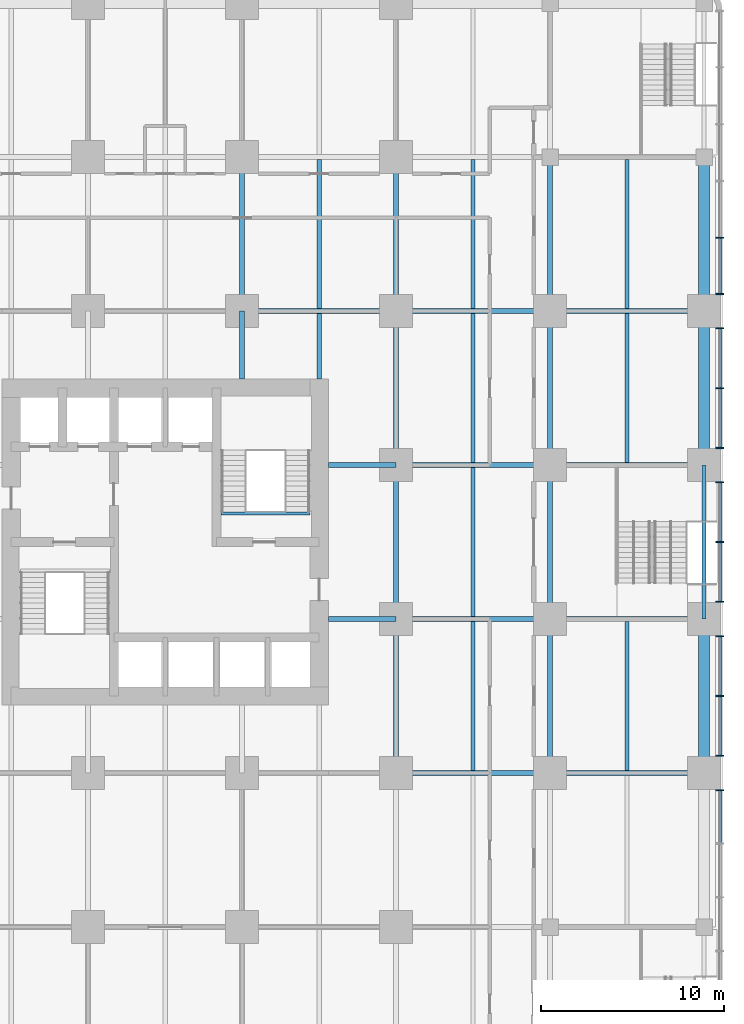
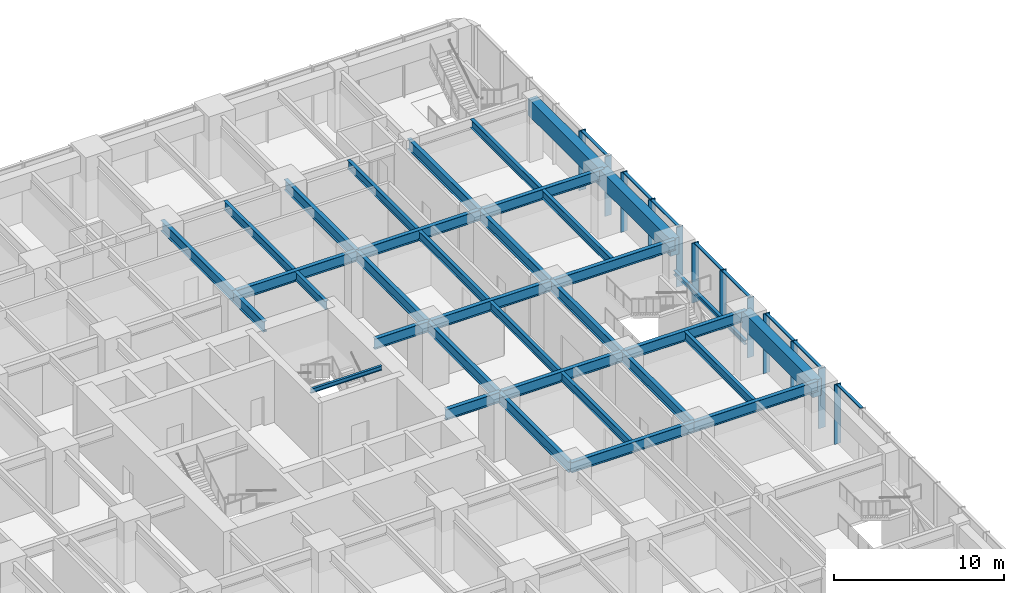
# One storey, part 6 of 19: 35 beams, 20 members, 1 element without a shape of its own.
"""IFC4 building model written with IfcOpenShell, lengths in metres."""

import ifcopenshell
import ifcopenshell.guid

model = None  # the IFC model being written
_history = None  # IfcOwnerHistory: only IFC2X3 demands one
_inside = {}  # id of a spatial element -> (the spatial element, [elements in it])
_under = {}  # id of a project, library or spatial element -> (it, [spatial elements below it])
_declared = {}  # id of a project -> (the project, [libraries it declares])
_typed = {}  # id of a type object -> (the type object, [elements of that type])
_made_of = {}  # id of a material, layer set ... -> (it, [elements and type objects made of it])


def new_model(schema):
    """Start an empty IFC model of exactly this schema.

    Asked for "IFC4X3", IfcOpenShell would pick the latest addendum, in which some entities
    have other attributes; the version numbers below select the first issue.
    IFC2X3 requires an IfcOwnerHistory on every rooted entity: one is made here for all.
    """
    global model, _history
    if schema == "IFC4X3":
        model = ifcopenshell.file(schema_version=(4, 3, 0, 0))
    else:
        model = ifcopenshell.file(schema=schema)
    _inside.clear()
    _under.clear()
    _declared.clear()
    _typed.clear()
    _made_of.clear()
    _history = None
    if model.schema == "IFC2X3":
        org = make("IfcOrganization", Name="unknown")
        user = make(
            "IfcPersonAndOrganization",
            ThePerson=make("IfcPerson", FamilyName="unknown"),
            TheOrganization=org,
        )
        app = make(
            "IfcApplication",
            ApplicationDeveloper=org,
            Version="unknown",
            ApplicationFullName="unknown",
            ApplicationIdentifier="unknown",
        )
        _history = make(
            "IfcOwnerHistory",
            OwningUser=user,
            OwningApplication=app,
            ChangeAction="ADDED",
            CreationDate=0,
        )
    return model


def make(cls, **values):
    """One entity of the class cls with the attributes given. An attribute that is None is left unset."""
    return model.create_entity(
        cls, **{name: value for name, value in values.items() if value is not None}
    )


def rooted(cls, **values):
    """An entity with a GlobalId (a new one), such as an element, a storey or a relation."""
    return make(cls, GlobalId=ifcopenshell.guid.new(), OwnerHistory=_history, **values)


def si_unit(unit_type, name, prefix=None):
    """IfcSIUnit, for example si_unit("LENGTHUNIT", "METRE", prefix="MILLI")."""
    return make("IfcSIUnit", UnitType=unit_type, Prefix=prefix, Name=name)


def assignment(units):
    """IfcUnitAssignment: the units of a project."""
    return None if units is None else make("IfcUnitAssignment", Units=units)


def point(xyz):
    """IfcCartesianPoint."""
    return None if xyz is None else make("IfcCartesianPoint", Coordinates=xyz)


def direction(xyz):
    """IfcDirection."""
    return None if xyz is None else make("IfcDirection", DirectionRatios=xyz)


def frame(location, z_axis=None, x_axis=None):
    """IfcAxis2Placement3D, a coordinate frame: its origin and axes. An axis left out is left unset."""
    return make(
        "IfcAxis2Placement3D",
        Location=point(location),
        Axis=direction(z_axis),
        RefDirection=direction(x_axis),
    )


def frame_2d(location, x_axis=None):
    """IfcAxis2Placement2D, a coordinate frame in the plane: its origin and x axis."""
    return make(
        "IfcAxis2Placement2D", Location=point(location), RefDirection=direction(x_axis)
    )


def origin():
    """The frame at (0, 0, 0) with its axes left unset."""
    return frame((0.0, 0.0, 0.0))


def origin_2d():
    """The frame at (0, 0) in the plane with its x axis left unset."""
    return frame_2d((0.0, 0.0))


def place(relative_to, where):
    """IfcLocalPlacement: puts the frame where relative to a parent placement (None: the world)."""
    return make(
        "IfcLocalPlacement", PlacementRelTo=relative_to, RelativePlacement=where
    )


def context(
    kind, dimensions, precision=None, world=None, true_north=None, identifier=None
):
    """IfcGeometricRepresentationContext, for example the 3D "Model" context."""
    return make(
        "IfcGeometricRepresentationContext",
        ContextIdentifier=identifier,
        ContextType=kind,
        CoordinateSpaceDimension=dimensions,
        Precision=precision,
        WorldCoordinateSystem=world,
        TrueNorth=true_north,
    )


def subcontext(parent, identifier, kind, view, scale=None):
    """IfcGeometricRepresentationSubContext, for example "Body" below "Model"."""
    return make(
        "IfcGeometricRepresentationSubContext",
        ContextIdentifier=identifier,
        ContextType=kind,
        ParentContext=parent,
        TargetScale=scale,
        TargetView=view,
    )


def project(units=None, contexts=None):
    """IfcProject with its units and contexts."""
    return rooted(
        "IfcProject",
        Name="project",
        RepresentationContexts=contexts,
        UnitsInContext=assignment(units),
    )


def spatial(cls, under=None, at=None, **own):
    """A site, building, storey or space (cls), placed at a placement, below another one or the project."""
    s = rooted(cls, ObjectPlacement=at, **own)
    if under is not None:
        _under.setdefault(under.id(), (under, []))[1].append(s)
    return s


def profile(cls, at=None, kind="AREA", **sizes):
    """A parametric profile (cls). Its sizes go by their IFC names, for example OverallWidth=200.0."""
    return make(cls, ProfileType=kind, Position=at, **sizes)


def rectangle(**sizes):
    """IfcRectangleProfileDef."""
    return profile("IfcRectangleProfileDef", **sizes)


def i_section(**sizes):
    """IfcIShapeProfileDef."""
    return profile("IfcIShapeProfileDef", **sizes)


def extrude(swept, where, along, depth):
    """IfcExtrudedAreaSolid: the profile swept, set in the frame where, extruded along a direction by depth."""
    return make(
        "IfcExtrudedAreaSolid",
        SweptArea=swept,
        Position=where,
        ExtrudedDirection=direction(along),
        Depth=depth,
    )


def shape(context_of_items, identifier, shape_type, items):
    """IfcShapeRepresentation: the items that make up one representation, for example the "Body"."""
    return make(
        "IfcShapeRepresentation",
        ContextOfItems=context_of_items,
        RepresentationIdentifier=identifier,
        RepresentationType=shape_type,
        Items=items,
    )


def material(Name=None, Category=None):
    """IfcMaterial."""
    return make("IfcMaterial", Name=Name, Category=Category)


def material_profile(
    of_material, cross_section, Name=None, Category=None, Priority=None
):
    """IfcMaterialProfile: a cross section and its material."""
    return make(
        "IfcMaterialProfile",
        Name=Name,
        Material=of_material,
        Profile=cross_section,
        Priority=Priority,
        Category=Category,
    )


def profile_set(profiles, Name=None, composite=None):
    """IfcMaterialProfileSet."""
    return make(
        "IfcMaterialProfileSet",
        Name=Name,
        MaterialProfiles=profiles,
        CompositeProfile=composite,
    )


def made_of(thing, what):
    """Note that an element or type object is made of a material, layer set ...; save() writes the relation."""
    if what is not None:
        _made_of.setdefault(what.id(), (what, []))[1].append(thing)
    return thing


def type_object(cls, material=None, **own):
    """A type object (cls), such as IfcWallType, which elements share."""
    return made_of(rooted(cls, **own), material)


def element(
    cls,
    number,
    at=None,
    inside=None,
    cuts=None,
    type_object=None,
    material=None,
    context=None,
    identifier="Body",
    shape_type=None,
    held_by="IfcProductDefinitionShape",
    body=None,
    shapes=None,
    **own,
):
    """One element of the class cls, such as IfcWall. Its Tag is "e" and its number.

    at: its placement. inside: the storey or other place that contains it. cuts: it is an
    opening in that element (IfcRelVoidsElement). A single representation is given by context,
    identifier, shape_type and body (its items); several are given by shapes. held_by: the class
    of the entity that holds the representations. save() writes the other relations.
    """
    e = rooted(cls, Tag="e%d" % number, ObjectPlacement=at, **own)
    if body is not None:
        shapes = [shape(context, identifier, shape_type, body)]
    if shapes is not None:
        e.Representation = make(held_by, Representations=shapes)
    if inside is not None:
        _inside.setdefault(inside.id(), (inside, []))[1].append(e)
    if cuts is not None:
        rooted(
            "IfcRelVoidsElement", RelatingBuildingElement=cuts, RelatedOpeningElement=e
        )
    if type_object is not None:
        _typed.setdefault(type_object.id(), (type_object, []))[1].append(e)
    return made_of(e, material)


def aggregate(whole, parts):
    """IfcRelAggregates: a whole, such as a stair, and the parts it consists of."""
    return rooted("IfcRelAggregates", RelatingObject=whole, RelatedObjects=parts)


def save(model, path):
    """Write the relations noted so far, then the file.

    IfcRelAggregates (storeys below a building ...), IfcRelContainedInSpatialStructure (elements
    in a storey), IfcRelDefinesByType, IfcRelAssociatesMaterial and IfcRelDeclares: one each for
    every whole, place, type object, material and project.
    """
    for whole, parts in _under.values():
        aggregate(whole, parts)
    for where, things in _inside.values():
        rooted(
            "IfcRelContainedInSpatialStructure",
            RelatedElements=things,
            RelatingStructure=where,
        )
    for kind, things in _typed.values():
        rooted("IfcRelDefinesByType", RelatedObjects=things, RelatingType=kind)
    for what, things in _made_of.values():
        rooted("IfcRelAssociatesMaterial", RelatedObjects=things, RelatingMaterial=what)
    for by, libraries in _declared.values():
        rooted("IfcRelDeclares", RelatingContext=by, RelatedDefinitions=libraries)
    model.write(path)


model = new_model("IFC4")

# Units and contexts
model_context = context("Model", 3, precision=1e-05, world=origin(), true_north=direction((0.0, 1.0)))
body_context = subcontext(model_context, "Body", "Model", "MODEL_VIEW")
ifc_project = project(units=[si_unit("LENGTHUNIT", "METRE"), si_unit("AREAUNIT", "SQUARE_METRE"), si_unit("VOLUMEUNIT", "CUBIC_METRE"), si_unit("PLANEANGLEUNIT", "RADIAN"), si_unit("MASSUNIT", "GRAM", prefix="KILO")], contexts=[model_context])

# Site, building, storey
site_placement = place(None, origin())
site = spatial("IfcSite", under=ifc_project, at=site_placement, CompositionType="ELEMENT")
building_placement = place(site_placement, origin())
building = spatial("IfcBuilding", under=site, at=building_placement, Name="Torre Alcanfor", CompositionType="ELEMENT")
storey_placement = place(building_placement, frame((0.0, 0.0, 6.0)))
storey = spatial("IfcBuildingStorey", under=building, at=storey_placement, Name="L01", CompositionType="ELEMENT", Elevation=6.0)

# Curtain wall, members
ifc_material_1 = material(Name="Aluminium and glass", Category="aluminium")
curtain_wall_type = type_object("IfcCurtainWallType", Name="CW-B unitised classroom glazing with vertical FIN", PredefinedType="NOTDEFINED", material=ifc_material_1)
curtain_wall_placement = place(storey_placement, origin())
curtain_wall = element("IfcCurtainWall", 1, at=curtain_wall_placement, inside=storey, type_object=curtain_wall_type, Name="Curtain wall CW-B L01 1", PredefinedType="NOTDEFINED")
ifc_material_2 = material(Name="Bronze anodised aluminium", Category="aluminium")
ifc_material_profile_1 = material_profile(ifc_material_2, rectangle(XDim=0.449951171875, YDim=0.06494140625, at=origin_2d()), Name="CW-B mullion 65x450")
ifc_profile_set_1 = profile_set([ifc_material_profile_1], Name="Bronze anodised aluminium")
member_type_1 = type_object("IfcMemberType", Name="CW-B mullion with vertical FIN 65x450", PredefinedType="MULLION", material=ifc_profile_set_1)
member_1_placement = place(storey_placement, frame((59.64990234375, 15.862548828125, 0.0), z_axis=(0.0, 0.0, 1.0), x_axis=(-1.0, 0.0, 0.0)))
member_1 = element("IfcMember", 2, at=member_1_placement, type_object=member_type_1, Name="CW-B mullion 1.12", PredefinedType="MULLION", context=body_context, shape_type="SweptSolid", body=[
    extrude(rectangle(XDim=0.449951171875, YDim=0.06494140625, at=origin_2d()), origin(), (0.0, 0.0, 1.0), 4.300048828125),
])
member_2_placement = place(storey_placement, frame((59.64990234375, 17.737548828125, 0.0), z_axis=(0.0, 0.0, 1.0), x_axis=(-1.0, 0.0, 0.0)))
member_2 = element("IfcMember", 3, at=member_2_placement, type_object=member_type_1, Name="CW-B mullion 2.1", PredefinedType="MULLION", context=body_context, shape_type="SweptSolid", body=[
    extrude(rectangle(XDim=0.449951171875, YDim=0.06494140625, at=origin_2d()), origin(), (0.0, 0.0, 1.0), 4.300048828125),
])
member_3_placement = place(storey_placement, frame((59.64990234375, 21.0, 0.0), z_axis=(0.0, 0.0, 1.0), x_axis=(-1.0, 0.0, 0.0)))
member_3 = element("IfcMember", 4, at=member_3_placement, type_object=member_type_1, Name="CW-B mullion 2.2", PredefinedType="MULLION", context=body_context, shape_type="SweptSolid", body=[
    extrude(rectangle(XDim=0.449951171875, YDim=0.06494140625, at=origin_2d()), origin(), (0.0, 0.0, 1.0), 4.300048828125),
])
member_4_placement = place(storey_placement, frame((59.64990234375, 24.262451171875, 0.0), z_axis=(0.0, 0.0, 1.0), x_axis=(-1.0, 0.0, 0.0)))
member_4 = element("IfcMember", 5, at=member_4_placement, type_object=member_type_1, Name="CW-B mullion 2.3", PredefinedType="MULLION", context=body_context, shape_type="SweptSolid", body=[
    extrude(rectangle(XDim=0.449951171875, YDim=0.06494140625, at=origin_2d()), origin(), (0.0, 0.0, 1.0), 4.300048828125),
])
member_5_placement = place(storey_placement, frame((59.64990234375, 26.137451171875, 0.0), z_axis=(0.0, 0.0, 1.0), x_axis=(-1.0, 0.0, 0.0)))
member_5 = element("IfcMember", 6, at=member_5_placement, type_object=member_type_1, Name="CW-B mullion 3.1", PredefinedType="MULLION", context=body_context, shape_type="SweptSolid", body=[
    extrude(rectangle(XDim=0.449951171875, YDim=0.06494140625, at=origin_2d()), origin(), (0.0, 0.0, 1.0), 4.300048828125),
])
member_6_placement = place(storey_placement, frame((59.64990234375, 29.39990234375, 0.0), z_axis=(0.0, 0.0, 1.0), x_axis=(-1.0, 0.0, 0.0)))
member_6 = element("IfcMember", 7, at=member_6_placement, type_object=member_type_1, Name="CW-B mullion 3.2", PredefinedType="MULLION", context=body_context, shape_type="SweptSolid", body=[
    extrude(rectangle(XDim=0.449951171875, YDim=0.06494140625, at=origin_2d()), origin(), (0.0, 0.0, 1.0), 4.300048828125),
])
member_7_placement = place(storey_placement, frame((59.64990234375, 32.66259765625, 0.0), z_axis=(0.0, 0.0, 1.0), x_axis=(-1.0, 0.0, 0.0)))
member_7 = element("IfcMember", 8, at=member_7_placement, type_object=member_type_1, Name="CW-B mullion 3.3", PredefinedType="MULLION", context=body_context, shape_type="SweptSolid", body=[
    extrude(rectangle(XDim=0.449951171875, YDim=0.06494140625, at=origin_2d()), origin(), (0.0, 0.0, 1.0), 4.300048828125),
])
member_8_placement = place(storey_placement, frame((59.64990234375, 34.53759765625, 0.0), z_axis=(0.0, 0.0, 1.0), x_axis=(-1.0, 0.0, 0.0)))
member_8 = element("IfcMember", 9, at=member_8_placement, type_object=member_type_1, Name="CW-B mullion 4.1", PredefinedType="MULLION", context=body_context, shape_type="SweptSolid", body=[
    extrude(rectangle(XDim=0.449951171875, YDim=0.06494140625, at=origin_2d()), origin(), (0.0, 0.0, 1.0), 4.300048828125),
])
member_9_placement = place(storey_placement, frame((59.64990234375, 37.800048828125, 0.0), z_axis=(0.0, 0.0, 1.0), x_axis=(-1.0, 0.0, 0.0)))
member_9 = element("IfcMember", 10, at=member_9_placement, type_object=member_type_1, Name="CW-B mullion 4.2", PredefinedType="MULLION", context=body_context, shape_type="SweptSolid", body=[
    extrude(rectangle(XDim=0.449951171875, YDim=0.06494140625, at=origin_2d()), origin(), (0.0, 0.0, 1.0), 4.300048828125),
])
member_10_placement = place(storey_placement, frame((59.64990234375, 41.0625, 0.0), z_axis=(0.0, 0.0, 1.0), x_axis=(-1.0, 0.0, 0.0)))
member_10 = element("IfcMember", 11, at=member_10_placement, type_object=member_type_1, Name="CW-B mullion 4.3", PredefinedType="MULLION", context=body_context, shape_type="SweptSolid", body=[
    extrude(rectangle(XDim=0.449951171875, YDim=0.06494140625, at=origin_2d()), origin(), (0.0, 0.0, 1.0), 4.300048828125),
])
member_11_placement = place(storey_placement, frame((59.64990234375, 42.9375, 0.0), z_axis=(0.0, 0.0, 1.0), x_axis=(-1.0, 0.0, 0.0)))
member_11 = element("IfcMember", 12, at=member_11_placement, type_object=member_type_1, Name="CW-B mullion 5.1", PredefinedType="MULLION", context=body_context, shape_type="SweptSolid", body=[
    extrude(rectangle(XDim=0.449951171875, YDim=0.06494140625, at=origin_2d()), origin(), (0.0, 0.0, 1.0), 4.300048828125),
])
member_12_placement = place(storey_placement, frame((59.64990234375, 46.00390625, 0.0), z_axis=(0.0, 0.0, 1.0), x_axis=(-1.0, 0.0, 0.0)))
member_12 = element("IfcMember", 13, at=member_12_placement, type_object=member_type_1, Name="CW-B mullion 5.2", PredefinedType="MULLION", context=body_context, shape_type="SweptSolid", body=[
    extrude(rectangle(XDim=0.449951171875, YDim=0.06494140625, at=origin_2d()), origin(), (0.0, 0.0, 1.0), 4.300048828125),
])
ifc_material_3 = material(Name="Extruded aluminium", Category="aluminium")
ifc_material_profile_2 = material_profile(ifc_material_3, rectangle(XDim=0.199951171875, YDim=0.06494140625, at=origin_2d()), Name="CW-B transom 200x65")
ifc_profile_set_2 = profile_set([ifc_material_profile_2], Name="Extruded aluminium")
member_type_2 = type_object("IfcMemberType", Name="CW-B transom 65x200", PredefinedType="USERDEFINED", material=ifc_profile_set_2)
member_13_placement = place(storey_placement, frame((59.64990234375, 12.99169921875, 4.267578125), z_axis=(0.0, 1.0, 0.0), x_axis=(-1.0, 0.0, 0.0)))
member_13 = element("IfcMember", 14, at=member_13_placement, type_object=member_type_2, Name="CW-B transom 1.11.2", ObjectType="TRANSOM", PredefinedType="USERDEFINED", context=body_context, shape_type="SweptSolid", body=[
    extrude(rectangle(XDim=0.199951171875, YDim=0.06494140625, at=origin_2d()), origin(), (0.0, 0.0, 1.0), 2.83837890625),
])
member_14_placement = place(storey_placement, frame((59.64990234375, 17.77001953125, 4.267578125), z_axis=(0.0, 1.0, 0.0), x_axis=(-1.0, 0.0, 0.0)))
member_14 = element("IfcMember", 15, at=member_14_placement, type_object=member_type_2, Name="CW-B transom 2.1.2", ObjectType="TRANSOM", PredefinedType="USERDEFINED", context=body_context, shape_type="SweptSolid", body=[
    extrude(rectangle(XDim=0.199951171875, YDim=0.06494140625, at=origin_2d()), origin(), (0.0, 0.0, 1.0), 3.197509765625),
])
member_15_placement = place(storey_placement, frame((59.64990234375, 21.032470703125, 4.267578125), z_axis=(0.0, 1.0, 0.0), x_axis=(-1.0, 0.0, 0.0)))
member_15 = element("IfcMember", 16, at=member_15_placement, type_object=member_type_2, Name="CW-B transom 2.2.2", ObjectType="TRANSOM", PredefinedType="USERDEFINED", context=body_context, shape_type="SweptSolid", body=[
    extrude(rectangle(XDim=0.199951171875, YDim=0.06494140625, at=origin_2d()), origin(), (0.0, 0.0, 1.0), 3.197509765625),
])
member_16_placement = place(storey_placement, frame((59.64990234375, 26.169921875, 4.267578125), z_axis=(0.0, 1.0, 0.0), x_axis=(-1.0, 0.0, 0.0)))
member_16 = element("IfcMember", 17, at=member_16_placement, type_object=member_type_2, Name="CW-B transom 3.1.2", ObjectType="TRANSOM", PredefinedType="USERDEFINED", context=body_context, shape_type="SweptSolid", body=[
    extrude(rectangle(XDim=0.199951171875, YDim=0.06494140625, at=origin_2d()), origin(), (0.0, 0.0, 1.0), 3.197509765625),
])
member_17_placement = place(storey_placement, frame((59.64990234375, 29.4326171875, 4.267578125), z_axis=(0.0, 1.0, 0.0), x_axis=(-1.0, 0.0, 0.0)))
member_17 = element("IfcMember", 18, at=member_17_placement, type_object=member_type_2, Name="CW-B transom 3.2.2", ObjectType="TRANSOM", PredefinedType="USERDEFINED", context=body_context, shape_type="SweptSolid", body=[
    extrude(rectangle(XDim=0.199951171875, YDim=0.06494140625, at=origin_2d()), origin(), (0.0, 0.0, 1.0), 3.197265625),
])
member_18_placement = place(storey_placement, frame((59.64990234375, 34.570068359375, 4.267578125), z_axis=(0.0, 1.0, 0.0), x_axis=(-1.0, 0.0, 0.0)))
member_18 = element("IfcMember", 19, at=member_18_placement, type_object=member_type_2, Name="CW-B transom 4.1.2", ObjectType="TRANSOM", PredefinedType="USERDEFINED", context=body_context, shape_type="SweptSolid", body=[
    extrude(rectangle(XDim=0.199951171875, YDim=0.06494140625, at=origin_2d()), origin(), (0.0, 0.0, 1.0), 3.197509765625),
])
member_19_placement = place(storey_placement, frame((59.64990234375, 37.83251953125, 4.267578125), z_axis=(0.0, 1.0, 0.0), x_axis=(-1.0, 0.0, 0.0)))
member_19 = element("IfcMember", 20, at=member_19_placement, type_object=member_type_2, Name="CW-B transom 4.2.2", ObjectType="TRANSOM", PredefinedType="USERDEFINED", context=body_context, shape_type="SweptSolid", body=[
    extrude(rectangle(XDim=0.199951171875, YDim=0.06494140625, at=origin_2d()), origin(), (0.0, 0.0, 1.0), 3.197509765625),
])
member_20_placement = place(storey_placement, frame((59.64990234375, 42.969970703125, 4.267578125), z_axis=(0.0, 1.0, 0.0), x_axis=(-1.0, 0.0, 0.0)))
member_20 = element("IfcMember", 21, at=member_20_placement, type_object=member_type_2, Name="CW-B transom 5.1.2", ObjectType="TRANSOM", PredefinedType="USERDEFINED", context=body_context, shape_type="SweptSolid", body=[
    extrude(rectangle(XDim=0.199951171875, YDim=0.06494140625, at=origin_2d()), origin(), (0.0, 0.0, 1.0), 3.00146484375),
])
aggregate(curtain_wall, [member_1, member_13, member_2, member_3, member_4, member_14, member_15, member_5, member_6, member_7, member_16, member_17, member_8, member_9, member_10, member_18, member_19, member_11, member_12, member_20])

# Beams
ifc_material_4 = material(Name="Steel ASTM A992 Grade 50", Category="steel")
ifc_material_profile_3 = material_profile(ifc_material_4, i_section(OverallWidth=0.2666015625, OverallDepth=0.7568359375, WebThickness=0.013916015625, FlangeThickness=0.019287109375, at=origin_2d()), Name="W30x108")
ifc_profile_set_3 = profile_set([ifc_material_profile_3], Name="Steel ASTM A992 Grade 50")
beam_type_1 = type_object("IfcBeamType", Name="Girder W30x108", PredefinedType="BEAM", material=ifc_profile_set_3)
beam_1_placement = place(storey_placement, frame((42.0, 16.800048828125, 3.921630859375), z_axis=(1.0, 0.0, 0.0), x_axis=(0.0, 1.0, 0.0)))
element("IfcBeam", 22, at=beam_1_placement, inside=storey, type_object=beam_type_1, Name="Beam 6E-7E under L02", PredefinedType="BEAM", context=body_context, shape_type="SweptSolid", body=[
    extrude(i_section(OverallWidth=0.2666015625, OverallDepth=0.7568359375, WebThickness=0.013916015625, FlangeThickness=0.019287109375, at=origin_2d()), origin(), (0.0, 0.0, 1.0), 8.39990234375),
])
beam_2_placement = place(storey_placement, frame((50.39990234375, 16.800048828125, 3.921630859375), z_axis=(1.0, 0.0, 0.0), x_axis=(0.0, 1.0, 0.0)))
element("IfcBeam", 23, at=beam_2_placement, inside=storey, type_object=beam_type_1, Name="Beam 7E-8E under L02", PredefinedType="BEAM", context=body_context, shape_type="SweptSolid", body=[
    extrude(i_section(OverallWidth=0.2666015625, OverallDepth=0.7568359375, WebThickness=0.013916015625, FlangeThickness=0.019287109375, at=origin_2d()), origin(), (0.0, 0.0, 1.0), 8.400146484375),
])
beam_3_placement = place(storey_placement, frame((42.0, 25.199951171875, 3.921630859375), z_axis=(1.0, 0.0, 0.0), x_axis=(0.0, 1.0, 0.0)))
element("IfcBeam", 24, at=beam_3_placement, inside=storey, type_object=beam_type_1, Name="Beam 6F-7F under L02", PredefinedType="BEAM", context=body_context, shape_type="SweptSolid", body=[
    extrude(i_section(OverallWidth=0.2666015625, OverallDepth=0.7568359375, WebThickness=0.013916015625, FlangeThickness=0.019287109375, at=origin_2d()), origin(), (0.0, 0.0, 1.0), 8.39990234375),
])
beam_4_placement = place(storey_placement, frame((50.39990234375, 25.199951171875, 3.921630859375), z_axis=(1.0, 0.0, 0.0), x_axis=(0.0, 1.0, 0.0)))
element("IfcBeam", 25, at=beam_4_placement, inside=storey, type_object=beam_type_1, Name="Beam 7F-8F under L02", PredefinedType="BEAM", context=body_context, shape_type="SweptSolid", body=[
    extrude(i_section(OverallWidth=0.2666015625, OverallDepth=0.7568359375, WebThickness=0.013916015625, FlangeThickness=0.019287109375, at=origin_2d()), origin(), (0.0, 0.0, 1.0), 8.400146484375),
])
beam_5_placement = place(storey_placement, frame((42.0, 33.60009765625, 3.921630859375), z_axis=(1.0, 0.0, 0.0), x_axis=(0.0, 1.0, 0.0)))
element("IfcBeam", 26, at=beam_5_placement, inside=storey, type_object=beam_type_1, Name="Beam 6G-7G under L02", PredefinedType="BEAM", context=body_context, shape_type="SweptSolid", body=[
    extrude(i_section(OverallWidth=0.2666015625, OverallDepth=0.7568359375, WebThickness=0.013916015625, FlangeThickness=0.019287109375, at=origin_2d()), origin(), (0.0, 0.0, 1.0), 8.39990234375),
])
beam_6_placement = place(storey_placement, frame((50.39990234375, 33.60009765625, 3.921630859375), z_axis=(1.0, 0.0, 0.0), x_axis=(0.0, 1.0, 0.0)))
element("IfcBeam", 27, at=beam_6_placement, inside=storey, type_object=beam_type_1, Name="Beam 7G-8G under L02", PredefinedType="BEAM", context=body_context, shape_type="SweptSolid", body=[
    extrude(i_section(OverallWidth=0.2666015625, OverallDepth=0.7568359375, WebThickness=0.013916015625, FlangeThickness=0.019287109375, at=origin_2d()), origin(), (0.0, 0.0, 1.0), 8.400146484375),
])
for number, where, z_axis, x_axis, name in (
    (28, (33.60009765625, 42.0, 3.921630859375), (1.0, 0.0, 0.0), (0.0, 1.0, 0.0), "Beam 5H-6H under L02"),
    (29, (42.0, 42.0, 3.921630859375), (1.0, 0.0, 0.0), (0.0, 1.0, 0.0), "Beam 6H-7H under L02"),
):
    element("IfcBeam", number, at=place(storey_placement, frame(where, z_axis=z_axis, x_axis=x_axis)), inside=storey, type_object=beam_type_1, Name=name, PredefinedType="BEAM", context=body_context, shape_type="SweptSolid", body=[
        extrude(i_section(OverallWidth=0.2666015625, OverallDepth=0.7568359375, WebThickness=0.013916015625, FlangeThickness=0.019287109375, at=origin_2d()), origin(), (0.0, 0.0, 1.0), 8.39990234375),
    ])
beam_7_placement = place(storey_placement, frame((50.39990234375, 42.0, 3.921630859375), z_axis=(1.0, 0.0, 0.0), x_axis=(0.0, 1.0, 0.0)))
element("IfcBeam", 30, at=beam_7_placement, inside=storey, type_object=beam_type_1, Name="Beam 7H-8H under L02", PredefinedType="BEAM", context=body_context, shape_type="SweptSolid", body=[
    extrude(i_section(OverallWidth=0.2666015625, OverallDepth=0.7568359375, WebThickness=0.013916015625, FlangeThickness=0.019287109375, at=origin_2d()), origin(), (0.0, 0.0, 1.0), 8.400146484375),
])
for number, where, z_axis, x_axis, name in (
    (31, (33.60009765625, 42.0, 3.921630859375), (0.0, 1.0, 0.0), (-1.0, 0.0, 0.0), "Beam 5H-5J under L02"),
    (32, (42.0, 16.800048828125, 3.921630859375), (0.0, 1.0, 0.0), (-1.0, 0.0, 0.0), "Beam 6E-6F under L02"),
):
    element("IfcBeam", number, at=place(storey_placement, frame(where, z_axis=z_axis, x_axis=x_axis)), inside=storey, type_object=beam_type_1, Name=name, PredefinedType="BEAM", context=body_context, shape_type="SweptSolid", body=[
        extrude(i_section(OverallWidth=0.2666015625, OverallDepth=0.7568359375, WebThickness=0.013916015625, FlangeThickness=0.019287109375, at=origin_2d()), origin(), (0.0, 0.0, 1.0), 8.39990234375),
    ])
beam_8_placement = place(storey_placement, frame((42.0, 25.199951171875, 3.921630859375), z_axis=(0.0, 1.0, 0.0), x_axis=(-1.0, 0.0, 0.0)))
element("IfcBeam", 33, at=beam_8_placement, inside=storey, type_object=beam_type_1, Name="Beam 6F-6G under L02", PredefinedType="BEAM", context=body_context, shape_type="SweptSolid", body=[
    extrude(i_section(OverallWidth=0.2666015625, OverallDepth=0.7568359375, WebThickness=0.013916015625, FlangeThickness=0.019287109375, at=origin_2d()), origin(), (0.0, 0.0, 1.0), 8.400146484375),
])
for number, where, z_axis, x_axis, name in (
    (34, (42.0, 33.60009765625, 3.921630859375), (0.0, 1.0, 0.0), (-1.0, 0.0, 0.0), "Beam 6G-6H under L02"),
    (35, (42.0, 42.0, 3.921630859375), (0.0, 1.0, 0.0), (-1.0, 0.0, 0.0), "Beam 6H-6J under L02"),
    (36, (50.39990234375, 16.800048828125, 3.921630859375), (0.0, 1.0, 0.0), (-1.0, 0.0, 0.0), "Beam 7E-7F under L02"),
):
    element("IfcBeam", number, at=place(storey_placement, frame(where, z_axis=z_axis, x_axis=x_axis)), inside=storey, type_object=beam_type_1, Name=name, PredefinedType="BEAM", context=body_context, shape_type="SweptSolid", body=[
        extrude(i_section(OverallWidth=0.2666015625, OverallDepth=0.7568359375, WebThickness=0.013916015625, FlangeThickness=0.019287109375, at=origin_2d()), origin(), (0.0, 0.0, 1.0), 8.39990234375),
    ])
beam_9_placement = place(storey_placement, frame((50.39990234375, 25.199951171875, 3.921630859375), z_axis=(0.0, 1.0, 0.0), x_axis=(-1.0, 0.0, 0.0)))
element("IfcBeam", 37, at=beam_9_placement, inside=storey, type_object=beam_type_1, Name="Beam 7F-7G under L02", PredefinedType="BEAM", context=body_context, shape_type="SweptSolid", body=[
    extrude(i_section(OverallWidth=0.2666015625, OverallDepth=0.7568359375, WebThickness=0.013916015625, FlangeThickness=0.019287109375, at=origin_2d()), origin(), (0.0, 0.0, 1.0), 8.400146484375),
])
for number, where, z_axis, x_axis, name in (
    (38, (50.39990234375, 33.60009765625, 3.921630859375), (0.0, 1.0, 0.0), (-1.0, 0.0, 0.0), "Beam 7G-7H under L02"),
    (39, (50.39990234375, 42.0, 3.921630859375), (0.0, 1.0, 0.0), (-1.0, 0.0, 0.0), "Beam 7H-7J under L02"),
):
    element("IfcBeam", number, at=place(storey_placement, frame(where, z_axis=z_axis, x_axis=x_axis)), inside=storey, type_object=beam_type_1, Name=name, PredefinedType="BEAM", context=body_context, shape_type="SweptSolid", body=[
        extrude(i_section(OverallWidth=0.2666015625, OverallDepth=0.7568359375, WebThickness=0.013916015625, FlangeThickness=0.019287109375, at=origin_2d()), origin(), (0.0, 0.0, 1.0), 8.39990234375),
    ])
ifc_material_5 = material(Name="Steel ASTM A992 Grade 50", Category="steel")
ifc_material_profile_4 = material_profile(ifc_material_5, i_section(OverallWidth=0.2666015625, OverallDepth=0.7568359375, WebThickness=0.013916015625, FlangeThickness=0.019287109375, at=origin_2d()), Name="W30x108")
ifc_profile_set_4 = profile_set([ifc_material_profile_4], Name="Steel ASTM A992 Grade 50")
beam_type_2 = type_object("IfcBeamType", Name="Girder, part bay W30x108", PredefinedType="BEAM", material=ifc_profile_set_4)
for number, where, z_axis, x_axis, name in (
    (40, (33.60009765625, 42.0, 3.921630859375), (0.0, -1.0, 0.0), (1.0, 0.0, 0.0), "Beam 5H-538_3 under L02"),
    (41, (42.0, 25.199951171875, 3.921630859375), (-1.0, 0.0, 0.0), (0.0, -1.0, 0.0), "Beam 6F-38_3F under L02"),
    (42, (42.0, 33.60009765625, 3.921630859375), (-1.0, 0.0, 0.0), (0.0, -1.0, 0.0), "Beam 6G-38_3G under L02"),
):
    element("IfcBeam", number, at=place(storey_placement, frame(where, z_axis=z_axis, x_axis=x_axis)), inside=storey, type_object=beam_type_2, Name=name, PredefinedType="BEAM", context=body_context, shape_type="SweptSolid", body=[
        extrude(i_section(OverallWidth=0.2666015625, OverallDepth=0.7568359375, WebThickness=0.013916015625, FlangeThickness=0.019287109375, at=origin_2d()), origin(), (0.0, 0.0, 1.0), 3.699951171875),
    ])
ifc_material_6 = material(Name="Concrete f'c 70 MPa", Category="concrete")
ifc_material_profile_5 = material_profile(ifc_material_6, rectangle(XDim=0.60009765625, YDim=1.199951171875, at=origin_2d()), Name="600x1200")
ifc_profile_set_5 = profile_set([ifc_material_profile_5], Name="Concrete f'c 70 MPa")
beam_type_3 = type_object("IfcBeamType", Name="RC perimeter beam 600x1200", PredefinedType="BEAM", material=ifc_profile_set_5)
for number, where, z_axis, x_axis, name in (
    (43, (58.800048828125, 16.800048828125, 3.699951171875), (0.0, 1.0, 0.0), (-1.0, 0.0, 0.0), "Beam 8E-8F under L02"),
    (44, (58.800048828125, 33.60009765625, 3.699951171875), (0.0, 1.0, 0.0), (-1.0, 0.0, 0.0), "Beam 8G-8H under L02"),
    (45, (58.800048828125, 42.0, 3.699951171875), (0.0, 1.0, 0.0), (-1.0, 0.0, 0.0), "Beam 8H-8J under L02"),
):
    element("IfcBeam", number, at=place(storey_placement, frame(where, z_axis=z_axis, x_axis=x_axis)), inside=storey, type_object=beam_type_3, Name=name, PredefinedType="BEAM", context=body_context, shape_type="SweptSolid", body=[
        extrude(rectangle(XDim=0.60009765625, YDim=1.199951171875, at=origin_2d()), origin(), (0.0, 0.0, 1.0), 8.39990234375),
    ])
ifc_material_7 = material(Name="Steel ASTM A992 Grade 50", Category="steel")
ifc_material_profile_6 = material_profile(ifc_material_7, i_section(OverallWidth=0.203369140625, OverallDepth=0.30224609375, WebThickness=0.007568359375, FlangeThickness=0.01318359375, at=origin_2d()), Name="W12x40")
ifc_profile_set_6 = profile_set([ifc_material_profile_6], Name="Steel ASTM A992 Grade 50")
beam_type_4 = type_object("IfcBeamType", Name="School stair landing beam W12x40", PredefinedType="BEAM", material=ifc_profile_set_6)
beam_10_placement = place(storey_placement, frame((58.800048828125, 25.199951171875, 1.89892578125), z_axis=(0.0, 1.0, 0.0), x_axis=(-1.0, 0.0, 0.0)))
element("IfcBeam", 46, at=beam_10_placement, inside=storey, type_object=beam_type_4, Name="Landing beam SS2 L01", PredefinedType="BEAM", context=body_context, shape_type="SweptSolid", body=[
    extrude(i_section(OverallWidth=0.203369140625, OverallDepth=0.30224609375, WebThickness=0.007568359375, FlangeThickness=0.01318359375, at=origin_2d()), origin(), (0.0, 0.0, 1.0), 8.400146484375),
])
ifc_material_8 = material(Name="Steel ASTM A992 Grade 50", Category="steel")
ifc_material_profile_7 = material_profile(ifc_material_8, i_section(OverallWidth=0.22900390625, OverallDepth=0.612060546875, WebThickness=0.011962890625, FlangeThickness=0.01953125, at=origin_2d()), Name="W24x84")
ifc_profile_set_7 = profile_set([ifc_material_profile_7], Name="Steel ASTM A992 Grade 50")
beam_type_5 = type_object("IfcBeamType", Name="Secondary beam W24x84", PredefinedType="BEAM", material=ifc_profile_set_7)
beam_11_placement = place(storey_placement, frame((37.800048828125, 42.133056640625, 3.993896484375), z_axis=(0.0, 1.0, 0.0), x_axis=(-1.0, 0.0, 0.0)))
element("IfcBeam", 47, at=beam_11_placement, inside=storey, type_object=beam_type_5, Name="Beam 37_8H-37_8J under L02", PredefinedType="BEAM", context=body_context, shape_type="SweptSolid", body=[
    extrude(i_section(OverallWidth=0.22900390625, OverallDepth=0.612060546875, WebThickness=0.011962890625, FlangeThickness=0.01953125, at=origin_2d()), origin(), (0.0, 0.0, 1.0), 8.134033203125),
])
beam_12_placement = place(storey_placement, frame((46.199951171875, 16.93310546875, 3.993896484375), z_axis=(0.0, 1.0, 0.0), x_axis=(-1.0, 0.0, 0.0)))
element("IfcBeam", 48, at=beam_12_placement, inside=storey, type_object=beam_type_5, Name="Beam 46_2E-46_2F under L02", PredefinedType="BEAM", context=body_context, shape_type="SweptSolid", body=[
    extrude(i_section(OverallWidth=0.22900390625, OverallDepth=0.612060546875, WebThickness=0.011962890625, FlangeThickness=0.01953125, at=origin_2d()), origin(), (0.0, 0.0, 1.0), 8.1337890625),
])
for number, where, z_axis, x_axis, name in (
    (49, (46.199951171875, 25.3330078125, 3.993896484375), (0.0, 1.0, 0.0), (-1.0, 0.0, 0.0), "Beam 46_2F-46_2G under L02"),
    (50, (46.199951171875, 33.73291015625, 3.993896484375), (0.0, 1.0, 0.0), (-1.0, 0.0, 0.0), "Beam 46_2G-46_2H under L02"),
    (51, (46.199951171875, 42.133056640625, 3.993896484375), (0.0, 1.0, 0.0), (-1.0, 0.0, 0.0), "Beam 46_2H-46_2J under L02"),
):
    element("IfcBeam", number, at=place(storey_placement, frame(where, z_axis=z_axis, x_axis=x_axis)), inside=storey, type_object=beam_type_5, Name=name, PredefinedType="BEAM", context=body_context, shape_type="SweptSolid", body=[
        extrude(i_section(OverallWidth=0.22900390625, OverallDepth=0.612060546875, WebThickness=0.011962890625, FlangeThickness=0.01953125, at=origin_2d()), origin(), (0.0, 0.0, 1.0), 8.134033203125),
    ])
beam_13_placement = place(storey_placement, frame((54.60009765625, 16.93310546875, 3.993896484375), z_axis=(0.0, 1.0, 0.0), x_axis=(-1.0, 0.0, 0.0)))
element("IfcBeam", 52, at=beam_13_placement, inside=storey, type_object=beam_type_5, Name="Beam 54_6E-54_6F under L02", PredefinedType="BEAM", context=body_context, shape_type="SweptSolid", body=[
    extrude(i_section(OverallWidth=0.22900390625, OverallDepth=0.612060546875, WebThickness=0.011962890625, FlangeThickness=0.01953125, at=origin_2d()), origin(), (0.0, 0.0, 1.0), 8.1337890625),
])
for number, where, z_axis, x_axis, name in (
    (53, (54.60009765625, 33.73291015625, 3.993896484375), (0.0, 1.0, 0.0), (-1.0, 0.0, 0.0), "Beam 54_6G-54_6H under L02"),
    (54, (54.60009765625, 42.133056640625, 3.993896484375), (0.0, 1.0, 0.0), (-1.0, 0.0, 0.0), "Beam 54_6H-54_6J under L02"),
):
    element("IfcBeam", number, at=place(storey_placement, frame(where, z_axis=z_axis, x_axis=x_axis)), inside=storey, type_object=beam_type_5, Name=name, PredefinedType="BEAM", context=body_context, shape_type="SweptSolid", body=[
        extrude(i_section(OverallWidth=0.22900390625, OverallDepth=0.612060546875, WebThickness=0.011962890625, FlangeThickness=0.01953125, at=origin_2d()), origin(), (0.0, 0.0, 1.0), 8.134033203125),
    ])
ifc_material_9 = material(Name="Steel ASTM A992 Grade 50", Category="steel")
ifc_material_profile_8 = material_profile(ifc_material_9, i_section(OverallWidth=0.22900390625, OverallDepth=0.612060546875, WebThickness=0.011962890625, FlangeThickness=0.01953125, at=origin_2d()), Name="W24x84")
ifc_profile_set_8 = profile_set([ifc_material_profile_8], Name="Steel ASTM A992 Grade 50")
beam_type_6 = type_object("IfcBeamType", Name="Secondary beam, part bay W24x84", PredefinedType="BEAM", material=ifc_profile_set_8)
beam_14_placement = place(storey_placement, frame((37.800048828125, 38.300048828125, 3.993896484375), z_axis=(0.0, 1.0, 0.0), x_axis=(-1.0, 0.0, 0.0)))
element("IfcBeam", 55, at=beam_14_placement, inside=storey, type_object=beam_type_6, Name="Beam 37_838_3-37_8H under L02", PredefinedType="BEAM", context=body_context, shape_type="SweptSolid", body=[
    extrude(i_section(OverallWidth=0.22900390625, OverallDepth=0.612060546875, WebThickness=0.011962890625, FlangeThickness=0.01953125, at=origin_2d()), origin(), (0.0, 0.0, 1.0), 3.56689453125),
])
ifc_material_10 = material(Name="Steel ASTM A992 Grade 50", Category="steel")
ifc_material_profile_9 = material_profile(ifc_material_10, i_section(OverallWidth=0.164794921875, OverallDepth=0.309814453125, WebThickness=0.005859375, FlangeThickness=0.009765625, at=origin_2d()), Name="W12x26")
ifc_profile_set_9 = profile_set([ifc_material_profile_9], Name="Steel ASTM A992 Grade 50")
beam_type_7 = type_object("IfcBeamType", Name="Stair landing beam W12x26", PredefinedType="BEAM", material=ifc_profile_set_9)
beam_15_placement = place(storey_placement, frame((32.449951171875, 30.962646484375, 4.14501953125), z_axis=(1.0, 0.0, 0.0), x_axis=(0.0, 1.0, 0.0)))
element("IfcBeam", 56, at=beam_15_placement, inside=storey, type_object=beam_type_7, Name="Landing trimmer S2 L02", PredefinedType="BEAM", context=body_context, shape_type="SweptSolid", body=[
    extrude(i_section(OverallWidth=0.164794921875, OverallDepth=0.309814453125, WebThickness=0.005859375, FlangeThickness=0.009765625, at=origin_2d()), origin(), (0.0, 0.0, 1.0), 4.85009765625),
])

save(model, "model.ifc")
